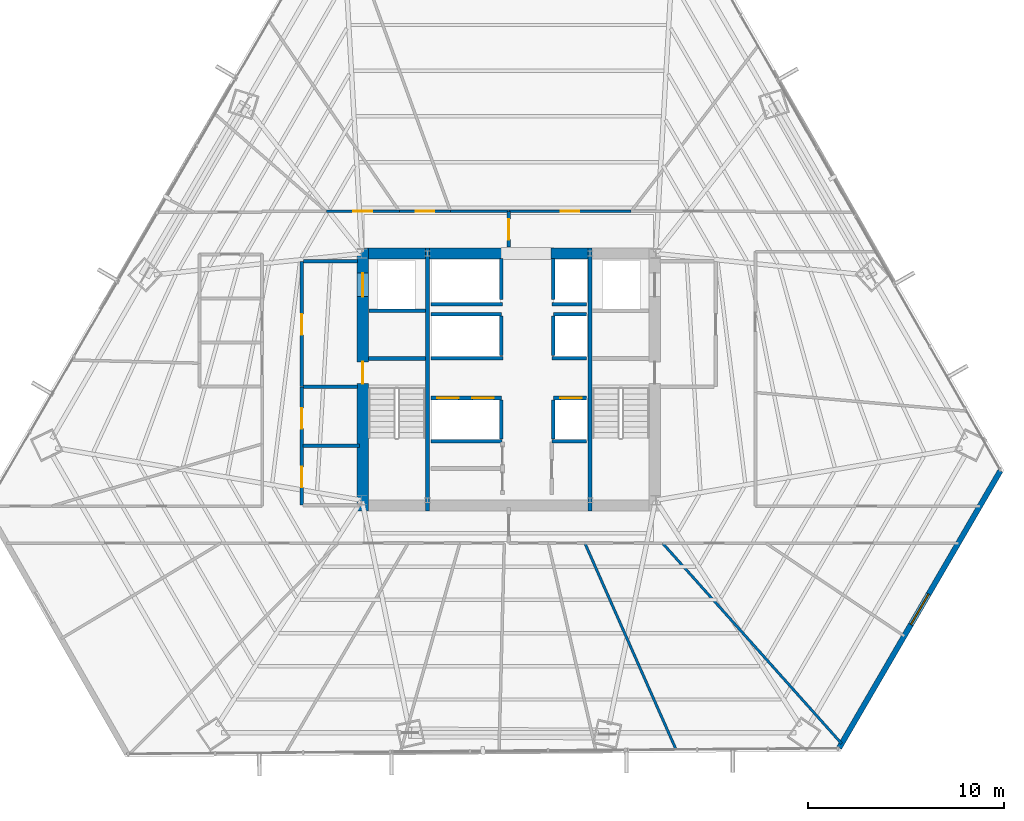
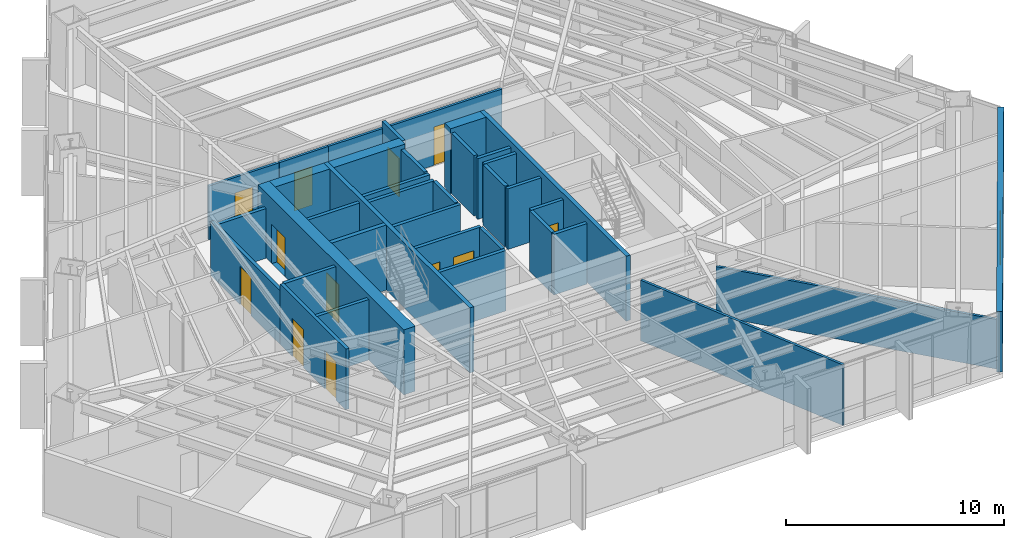
# One storey, part 31 of 36: 37 walls, 12 doors, 1 window, 13 openings.
"""IFC4 building model written with IfcOpenShell, lengths in metres."""

from ifc_helpers import new_model, si_unit, direction, frame, frame_2d, origin, place, context, subcontext, project, spatial, rectangle, extrude, material, layer, layer_set, type_object, element, fill, save


model = new_model("IFC4")

# Units and contexts
model_context = context("Model", 3, precision=1e-05, world=origin(), true_north=direction((0.0, 1.0)))
body_context = subcontext(model_context, "Body", "Model", "MODEL_VIEW")
ifc_project = project(units=[si_unit("LENGTHUNIT", "METRE"), si_unit("AREAUNIT", "SQUARE_METRE"), si_unit("VOLUMEUNIT", "CUBIC_METRE"), si_unit("PLANEANGLEUNIT", "RADIAN"), si_unit("MASSUNIT", "GRAM", prefix="KILO")], contexts=[model_context])

# Site, building, storey
site_placement = place(None, origin())
site = spatial("IfcSite", under=ifc_project, at=site_placement, CompositionType="ELEMENT")
building_placement = place(site_placement, origin())
building = spatial("IfcBuilding", under=site, at=building_placement, Name="Caelisora Broadcast Tower", CompositionType="ELEMENT")
storey_placement = place(building_placement, frame((0.0, 0.0, 60.449951171875)))
storey = spatial("IfcBuildingStorey", under=building, at=storey_placement, Name="L15", CompositionType="ELEMENT", Elevation=60.449951171875)

# Wall, openings, doors
ifc_material_1 = material(Name="Concrete 65 MPa (AS 3600 S65)", Category="concrete")
ifc_layer_1 = layer(ifc_material_1, 0.60009765625, Name="Concrete 65 MPa (AS 3600 S65)")
ifc_layer_set_1 = layer_set([ifc_layer_1], Name="Concrete 65 MPa (AS 3600 S65)")
wall_type_1 = type_object("IfcWallType", Name="CW1", PredefinedType="SHEAR", material=ifc_layer_set_1)
wall_1_placement = place(storey_placement, frame((30.5400390625, 16.85009765625, 0.0), z_axis=(0.0, 0.0, 1.0), x_axis=(0.0, 1.0, 0.0)))
wall_1 = element("IfcWall", 1, at=wall_1_placement, inside=storey, type_object=wall_type_1, Name="L15 core shear wall CW1", PredefinedType="SHEAR", context=body_context, shape_type="SweptSolid", body=[
    extrude(rectangle(XDim=13.4248046875, YDim=0.60009765625, at=frame_2d((6.71240234375, 0.0))), origin(), (0.0, 0.0, 1.0), 3.650146484375),
])
opening_1_placement = place(wall_1_placement, frame((6.5, 0.0, 0.0)))
opening_1 = element("IfcOpeningElement", 2, at=opening_1_placement, cuts=wall_1, Name="Opening FD04", PredefinedType="OPENING", context=body_context, shape_type="SweptSolid", body=[
    extrude(rectangle(XDim=1.1201171875, YDim=2.14990234375, at=frame_2d((0.56005859375, 1.074951171875))), frame((0.0, 0.31201171875, 0.0), z_axis=(0.0, -1.0, 0.0), x_axis=(1.0, 0.0, 0.0)), (0.0, 0.0, 1.0), 0.6240234375),
])
opening_2_placement = place(wall_1_placement, frame((10.949951171875, 0.0, 0.0)))
opening_2 = element("IfcOpeningElement", 3, at=opening_2_placement, cuts=wall_1, Name="Opening LD04", PredefinedType="OPENING", context=body_context, shape_type="SweptSolid", body=[
    extrude(rectangle(XDim=1.199951171875, YDim=2.199951171875, at=frame_2d((0.60009765625, 1.10009765625))), frame((0.0, 0.31201171875, 0.0), z_axis=(0.0, -1.0, 0.0), x_axis=(1.0, 0.0, 0.0)), (0.0, 0.0, 1.0), 0.6240234375),
])
ifc_material_2 = material(Name="Pressurised Fire-Isolated Stair Door", Category="steel")
door_type_1 = type_object("IfcDoorType", Name="FD04", OperationType="NOTDEFINED", PredefinedType="DOOR", material=ifc_material_2)
door_1_placement = place(opening_1_placement, origin())
door_1 = element("IfcDoor", 4, at=door_1_placement, inside=storey, type_object=door_type_1, Name="L15 door FD04 (L15-DR-ST1)", OperationType="SINGLE_SWING_LEFT", OverallHeight=2.14990234375, OverallWidth=1.1201171875, PredefinedType="DOOR", context=body_context, shape_type="SweptSolid", body=[
    extrude(rectangle(XDim=1.1201171875, YDim=2.14990234375, at=frame_2d((0.56005859375, 1.074951171875))), frame((0.0, 0.02490234375, 0.0), z_axis=(0.0, -1.0, 0.0), x_axis=(1.0, 0.0, 0.0)), (0.0, 0.0, 1.0), 0.050048828125),
])
fill(opening_1, door_1)
ifc_material_3 = material(Name="Emergency Firefighting Lift Sliding Landing Door", Category="steel")
door_type_2 = type_object("IfcDoorType", Name="LD04", OperationType="NOTDEFINED", PredefinedType="DOOR", material=ifc_material_3)
door_2_placement = place(opening_2_placement, origin())
door_2 = element("IfcDoor", 5, at=door_2_placement, inside=storey, type_object=door_type_2, Name="L15 door LD04 (L15-LD-FFL1)", OperationType="SLIDING_TO_LEFT", OverallHeight=2.199951171875, OverallWidth=1.199951171875, PredefinedType="DOOR", context=body_context, shape_type="SweptSolid", body=[
    extrude(rectangle(XDim=1.199951171875, YDim=2.199951171875, at=frame_2d((0.60009765625, 1.10009765625))), frame((0.0, 0.02490234375, 0.0), z_axis=(0.0, -1.0, 0.0), x_axis=(1.0, 0.0, 0.0)), (0.0, 0.0, 1.0), 0.050048828125),
])
fill(opening_2, door_2)

# Walls
ifc_layer_2 = layer(ifc_material_1, 0.550048828125, Name="Concrete 65 MPa (AS 3600 S65)")
ifc_layer_set_2 = layer_set([ifc_layer_2], Name="Concrete 65 MPa (AS 3600 S65)")
wall_type_2 = type_object("IfcWallType", Name="CW4", PredefinedType="SHEAR", material=ifc_layer_set_2)
wall_2_placement = place(storey_placement, frame((30.840087890625, 30.0, 0.0), z_axis=(0.0, 0.0, 1.0), x_axis=(1.0, 0.0, 0.0)))
element("IfcWall", 6, at=wall_2_placement, inside=storey, type_object=wall_type_2, Name="L15 core shear wall CW4", PredefinedType="SHEAR", context=body_context, shape_type="SweptSolid", body=[
    extrude(rectangle(XDim=2.89990234375, YDim=0.550048828125, at=frame_2d((1.449951171875, 0.0))), origin(), (0.0, 0.0, 1.0), 3.650146484375),
])
wall_3_placement = place(storey_placement, frame((33.9599609375, 30.0, 0.0), z_axis=(0.0, 0.0, 1.0), x_axis=(1.0, 0.0, 0.0)))
element("IfcWall", 7, at=wall_3_placement, inside=storey, type_object=wall_type_2, Name="L15 core shear wall CW4", PredefinedType="SHEAR", context=body_context, shape_type="SweptSolid", body=[
    extrude(rectangle(XDim=3.780029296875, YDim=0.550048828125, at=frame_2d((1.89013671875, 0.0))), origin(), (0.0, 0.0, 1.0), 3.650146484375),
])
wall_4_placement = place(storey_placement, frame((40.159912109375, 30.0, 0.0), z_axis=(0.0, 0.0, 1.0), x_axis=(1.0, 0.0, 0.0)))
element("IfcWall", 8, at=wall_4_placement, inside=storey, type_object=wall_type_2, Name="L15 core shear wall CW4", PredefinedType="SHEAR", context=body_context, shape_type="SweptSolid", body=[
    extrude(rectangle(XDim=1.880126953125, YDim=0.550048828125, at=frame_2d((0.93994140625, 0.0))), origin(), (0.0, 0.0, 1.0), 3.650146484375),
])
ifc_material_4 = material(Name="Concrete 50 MPa (AS 3600 S50)", Category="concrete")
ifc_layer_3 = layer(ifc_material_4, 0.219970703125, Name="Concrete 50 MPa (AS 3600 S50)")
ifc_layer_set_3 = layer_set([ifc_layer_3], Name="Concrete 50 MPa (AS 3600 S50)")
wall_type_3 = type_object("IfcWallType", Name="CW7", PredefinedType="SHEAR", material=ifc_layer_set_3)
for number, where, z_axis, x_axis, name in (
    (9, (33.85009765625, 16.85009765625, 0.0), (0.0, 0.0, 1.0), (0.0, 1.0, 0.0), "L15 core shear wall CW7"),
    (10, (42.14990234375, 16.85009765625, 0.0), (0.0, 0.0, 1.0), (0.0, 1.0, 0.0), "L15 core shear wall CW7"),
):
    element("IfcWall", number, at=place(storey_placement, frame(where, z_axis=z_axis, x_axis=x_axis)), inside=storey, type_object=wall_type_3, Name=name, PredefinedType="SHEAR", context=body_context, shape_type="SweptSolid", body=[
        extrude(rectangle(XDim=13.4248046875, YDim=0.219970703125, at=frame_2d((6.71240234375, 0.0))), origin(), (0.0, 0.0, 1.0), 3.650146484375),
    ])
wall_5_placement = place(storey_placement, frame((30.840087890625, 24.639892578125, 0.0), z_axis=(0.0, 0.0, 1.0), x_axis=(1.0, 0.0, 0.0)))
element("IfcWall", 11, at=wall_5_placement, inside=storey, type_object=wall_type_3, Name="L15 core shear wall CW7", PredefinedType="SHEAR", context=body_context, shape_type="SweptSolid", body=[
    extrude(rectangle(XDim=2.89990234375, YDim=0.219970703125, at=frame_2d((1.449951171875, 0.0))), origin(), (0.0, 0.0, 1.0), 3.650146484375),
])

# Wall, opening, window
ifc_material_5 = material(Name="Insulated Terracotta Spandrel Wall System", Category="masonry")
ifc_layer_4 = layer(ifc_material_5, 0.280029296875, Name="Insulated Terracotta Spandrel Wall System")
ifc_layer_set_4 = layer_set([ifc_layer_4], Name="Insulated Terracotta Spandrel Wall System")
wall_type_4 = type_object("IfcWallType", Name="EW1", PredefinedType="STANDARD", material=ifc_layer_set_4)
wall_6_placement = place(storey_placement, frame((63.10400390625, 18.899169921875, 0.0), z_axis=(0.0, 0.0, 1.0), x_axis=(-0.502893983591, -0.864348101906, 0.0)))
wall_6 = element("IfcWall", 12, at=wall_6_placement, inside=storey, type_object=wall_type_4, Name="L15 exterior envelope wall EW1", PredefinedType="STANDARD", context=body_context, shape_type="SweptSolid", body=[
    extrude(rectangle(XDim=16.365234375, YDim=0.280029296875, at=frame_2d((8.1826171875, 0.0))), origin(), (0.0, 0.0, 1.0), 3.400146484375),
])
opening_3_placement = place(wall_6_placement, frame((7.280029296875, 0.0, 0.89990234375)))
opening_3 = element("IfcOpeningElement", 13, at=opening_3_placement, cuts=wall_6, Name="Opening W01", PredefinedType="OPENING", context=body_context, shape_type="SweptSolid", body=[
    extrude(rectangle(XDim=1.800048828125, YDim=1.800048828125, at=frame_2d((0.89990234375, 0.89990234375))), frame((0.0, 0.152099609375, 0.0), z_axis=(0.0, -1.0, 0.0), x_axis=(1.0, 0.0, 0.0)), (0.0, 0.0, 1.0), 0.303955078125),
])
ifc_material_6 = material(Name="Double Glazed Terracotta-Framed Vision Window", Category="glass")
window_type = type_object("IfcWindowType", Name="W01", PartitioningType="SINGLE_PANEL", PredefinedType="WINDOW", material=ifc_material_6)
window_placement = place(opening_3_placement, origin())
window = element("IfcWindow", 14, at=window_placement, inside=storey, type_object=window_type, Name="L15 window W01 (L15-WN-CH0)", OverallHeight=1.800048828125, OverallWidth=1.800048828125, PartitioningType="SINGLE_PANEL", PredefinedType="WINDOW", context=body_context, shape_type="SweptSolid", body=[
    extrude(rectangle(XDim=1.800048828125, YDim=1.800048828125, at=frame_2d((0.89990234375, 0.89990234375))), frame((0.0, 0.030029296875, 0.0), z_axis=(0.0, -1.0, 0.0), x_axis=(1.0, 0.0, 0.0)), (0.0, 0.0, 1.0), 0.06005859375),
])
fill(opening_3, window)

# Wall, openings, doors
ifc_material_7 = material(Name="Fire-Rated Gypsum Shaft and Compartment Wall", Category="gypsum")
ifc_layer_5 = layer(ifc_material_7, 0.179931640625, Name="Fire-Rated Gypsum Shaft and Compartment Wall")
ifc_layer_set_5 = layer_set([ifc_layer_5], Name="Fire-Rated Gypsum Shaft and Compartment Wall")
wall_type_5 = type_object("IfcWallType", Name="PW2", PredefinedType="PARTITIONING", material=ifc_layer_set_5)
wall_7_placement = place(storey_placement, frame((34.02001953125, 22.6201171875, 0.0), z_axis=(0.0, 0.0, 1.0), x_axis=(1.0, 0.0, 0.0)))
wall_7 = element("IfcWall", 15, at=wall_7_placement, inside=storey, type_object=wall_type_5, Name="L15 fire compartment wall PW2", PredefinedType="PARTITIONING", context=body_context, shape_type="SweptSolid", body=[
    extrude(rectangle(XDim=3.60009765625, YDim=0.179931640625, at=frame_2d((1.800048828125, 0.0))), origin(), (0.0, 0.0, 1.0), 3.400146484375),
])
opening_4_placement = place(wall_7_placement, frame((0.320068359375, 0.0, 0.0)))
opening_4 = element("IfcOpeningElement", 16, at=opening_4_placement, cuts=wall_7, Name="Opening LD01", PredefinedType="OPENING", context=body_context, shape_type="SweptSolid", body=[
    extrude(rectangle(XDim=1.10009765625, YDim=2.199951171875, at=frame_2d((0.550048828125, 1.10009765625))), frame((0.0, 0.10205078125, 0.0), z_axis=(0.0, -1.0, 0.0), x_axis=(1.0, 0.0, 0.0)), (0.0, 0.0, 1.0), 0.203857421875),
])
opening_5_placement = place(wall_7_placement, frame((2.1201171875, 0.0, 0.0)))
opening_5 = element("IfcOpeningElement", 17, at=opening_5_placement, cuts=wall_7, Name="Opening LD01", PredefinedType="OPENING", context=body_context, shape_type="SweptSolid", body=[
    extrude(rectangle(XDim=1.10009765625, YDim=2.199951171875, at=frame_2d((0.550048828125, 1.10009765625))), frame((0.0, 0.10205078125, 0.0), z_axis=(0.0, -1.0, 0.0), x_axis=(1.0, 0.0, 0.0)), (0.0, 0.0, 1.0), 0.203857421875),
])
ifc_material_8 = material(Name="Stainless Steel Centre-Parting Lift Landing Door", Category="steel")
door_type_3 = type_object("IfcDoorType", Name="LD01", OperationType="NOTDEFINED", PredefinedType="DOOR", material=ifc_material_8)
door_3_placement = place(opening_4_placement, origin())
door_3 = element("IfcDoor", 18, at=door_3_placement, inside=storey, type_object=door_type_3, Name="L15 door LD01 (L15-LD-PLL1)", OperationType="SLIDING_TO_LEFT", OverallHeight=2.199951171875, OverallWidth=1.10009765625, PredefinedType="DOOR", context=body_context, shape_type="SweptSolid", body=[
    extrude(rectangle(XDim=1.10009765625, YDim=2.199951171875, at=frame_2d((0.550048828125, 1.10009765625))), frame((0.0, 0.02490234375, 0.0), z_axis=(0.0, -1.0, 0.0), x_axis=(1.0, 0.0, 0.0)), (0.0, 0.0, 1.0), 0.050048828125),
])
fill(opening_4, door_3)
door_4_placement = place(opening_5_placement, origin())
door_4 = element("IfcDoor", 19, at=door_4_placement, inside=storey, type_object=door_type_3, Name="L15 door LD01 (L15-LD-PLL2)", OperationType="SLIDING_TO_RIGHT", OverallHeight=2.199951171875, OverallWidth=1.10009765625, PredefinedType="DOOR", context=body_context, shape_type="SweptSolid", body=[
    extrude(rectangle(XDim=1.10009765625, YDim=2.199951171875, at=frame_2d((0.550048828125, 1.10009765625))), frame((0.0, 0.02490234375, 0.0), z_axis=(0.0, -1.0, 0.0), x_axis=(1.0, 0.0, 0.0)), (0.0, 0.0, 1.0), 0.050048828125),
])
fill(opening_5, door_4)

# Wall, opening, door
wall_8_placement = place(storey_placement, frame((40.280029296875, 22.6201171875, 0.0), z_axis=(0.0, 0.0, 1.0), x_axis=(1.0, 0.0, 0.0)))
wall_8 = element("IfcWall", 20, at=wall_8_placement, inside=storey, type_object=wall_type_5, Name="L15 fire compartment wall PW2", PredefinedType="PARTITIONING", context=body_context, shape_type="SweptSolid", body=[
    extrude(rectangle(XDim=1.699951171875, YDim=0.179931640625, at=frame_2d((0.85009765625, 0.0))), origin(), (0.0, 0.0, 1.0), 3.400146484375),
])
opening_6_placement = place(wall_8_placement, frame((0.35009765625, 0.0, 0.0)))
opening_6 = element("IfcOpeningElement", 21, at=opening_6_placement, cuts=wall_8, Name="Opening LD01", PredefinedType="OPENING", context=body_context, shape_type="SweptSolid", body=[
    extrude(rectangle(XDim=1.10009765625, YDim=2.199951171875, at=frame_2d((0.550048828125, 1.10009765625))), frame((0.0, 0.10205078125, 0.0), z_axis=(0.0, -1.0, 0.0), x_axis=(1.0, 0.0, 0.0)), (0.0, 0.0, 1.0), 0.203857421875),
])
door_5_placement = place(opening_6_placement, origin())
door_5 = element("IfcDoor", 22, at=door_5_placement, inside=storey, type_object=door_type_3, Name="L15 door LD01 (L15-LD-PLL3)", OperationType="SLIDING_TO_LEFT", OverallHeight=2.199951171875, OverallWidth=1.10009765625, PredefinedType="DOOR", context=body_context, shape_type="SweptSolid", body=[
    extrude(rectangle(XDim=1.10009765625, YDim=2.199951171875, at=frame_2d((0.550048828125, 1.10009765625))), frame((0.0, 0.02490234375, 0.0), z_axis=(0.0, -1.0, 0.0), x_axis=(1.0, 0.0, 0.0)), (0.0, 0.0, 1.0), 0.050048828125),
])
fill(opening_6, door_5)

# Walls
for number, where, z_axis, x_axis, name in (
    (23, (37.6201171875, 20.52001953125, 0.0), (0.0, 0.0, 1.0), (0.0, 1.0, 0.0), "L15 fire compartment wall PW2"),
    (24, (40.280029296875, 20.52001953125, 0.0), (0.0, 0.0, 1.0), (0.0, 1.0, 0.0), "L15 fire compartment wall PW2"),
):
    element("IfcWall", number, at=place(storey_placement, frame(where, z_axis=z_axis, x_axis=x_axis)), inside=storey, type_object=wall_type_5, Name=name, PredefinedType="PARTITIONING", context=body_context, shape_type="SweptSolid", body=[
        extrude(rectangle(XDim=2.0, YDim=0.179931640625, at=frame_2d((1.0, 0.0))), origin(), (0.0, 0.0, 1.0), 3.400146484375),
    ])
wall_9_placement = place(storey_placement, frame((34.02001953125, 26.89990234375, 0.0), z_axis=(0.0, 0.0, 1.0), x_axis=(1.0, 0.0, 0.0)))
element("IfcWall", 25, at=wall_9_placement, inside=storey, type_object=wall_type_5, Name="L15 fire compartment wall PW2", PredefinedType="PARTITIONING", context=body_context, shape_type="SweptSolid", body=[
    extrude(rectangle(XDim=3.60009765625, YDim=0.179931640625, at=frame_2d((1.800048828125, 0.0))), origin(), (0.0, 0.0, 1.0), 3.400146484375),
])
wall_10_placement = place(storey_placement, frame((40.280029296875, 26.89990234375, 0.0), z_axis=(0.0, 0.0, 1.0), x_axis=(1.0, 0.0, 0.0)))
element("IfcWall", 26, at=wall_10_placement, inside=storey, type_object=wall_type_5, Name="L15 fire compartment wall PW2", PredefinedType="PARTITIONING", context=body_context, shape_type="SweptSolid", body=[
    extrude(rectangle(XDim=1.699951171875, YDim=0.179931640625, at=frame_2d((0.85009765625, 0.0))), origin(), (0.0, 0.0, 1.0), 3.400146484375),
])
for number, where, z_axis, x_axis, name in (
    (27, (37.6201171875, 24.800048828125, 0.0), (0.0, 0.0, 1.0), (0.0, 1.0, 0.0), "L15 fire compartment wall PW2"),
    (28, (40.280029296875, 24.800048828125, 0.0), (0.0, 0.0, 1.0), (0.0, 1.0, 0.0), "L15 fire compartment wall PW2"),
):
    element("IfcWall", number, at=place(storey_placement, frame(where, z_axis=z_axis, x_axis=x_axis)), inside=storey, type_object=wall_type_5, Name=name, PredefinedType="PARTITIONING", context=body_context, shape_type="SweptSolid", body=[
        extrude(rectangle(XDim=2.0, YDim=0.179931640625, at=frame_2d((1.0, 0.0))), origin(), (0.0, 0.0, 1.0), 3.400146484375),
    ])
wall_11_placement = place(storey_placement, frame((34.02001953125, 24.639892578125, 0.0), z_axis=(0.0, 0.0, 1.0), x_axis=(1.0, 0.0, 0.0)))
element("IfcWall", 29, at=wall_11_placement, inside=storey, type_object=wall_type_5, Name="L15 fire compartment wall PW2", PredefinedType="PARTITIONING", context=body_context, shape_type="SweptSolid", body=[
    extrude(rectangle(XDim=3.679931640625, YDim=0.179931640625, at=frame_2d((1.83984375, 0.0))), origin(), (0.0, 0.0, 1.0), 3.400146484375),
])
wall_12_placement = place(storey_placement, frame((40.199951171875, 24.639892578125, 0.0), z_axis=(0.0, 0.0, 1.0), x_axis=(1.0, 0.0, 0.0)))
element("IfcWall", 30, at=wall_12_placement, inside=storey, type_object=wall_type_5, Name="L15 fire compartment wall PW2", PredefinedType="PARTITIONING", context=body_context, shape_type="SweptSolid", body=[
    extrude(rectangle(XDim=1.780029296875, YDim=0.179931640625, at=frame_2d((0.89013671875, 0.0))), origin(), (0.0, 0.0, 1.0), 3.400146484375),
])
wall_13_placement = place(storey_placement, frame((34.02001953125, 27.419921875, 0.0), z_axis=(0.0, 0.0, 1.0), x_axis=(1.0, 0.0, 0.0)))
element("IfcWall", 31, at=wall_13_placement, inside=storey, type_object=wall_type_5, Name="L15 fire compartment wall PW2", PredefinedType="PARTITIONING", context=body_context, shape_type="SweptSolid", body=[
    extrude(rectangle(XDim=3.659912109375, YDim=0.179931640625, at=frame_2d((1.830078125, 0.0))), origin(), (0.0, 0.0, 1.0), 3.400146484375),
])
wall_14_placement = place(storey_placement, frame((40.219970703125, 27.419921875, 0.0), z_axis=(0.0, 0.0, 1.0), x_axis=(1.0, 0.0, 0.0)))
element("IfcWall", 32, at=wall_14_placement, inside=storey, type_object=wall_type_5, Name="L15 fire compartment wall PW2", PredefinedType="PARTITIONING", context=body_context, shape_type="SweptSolid", body=[
    extrude(rectangle(XDim=1.760009765625, YDim=0.179931640625, at=frame_2d((0.8798828125, 0.0))), origin(), (0.0, 0.0, 1.0), 3.400146484375),
])
for number, where, z_axis, x_axis, name in (
    (33, (37.6201171875, 27.639892578125, 0.0), (0.0, 0.0, 1.0), (0.0, 1.0, 0.0), "L15 fire compartment wall PW2"),
    (34, (40.280029296875, 27.639892578125, 0.0), (0.0, 0.0, 1.0), (0.0, 1.0, 0.0), "L15 fire compartment wall PW2"),
):
    element("IfcWall", number, at=place(storey_placement, frame(where, z_axis=z_axis, x_axis=x_axis)), inside=storey, type_object=wall_type_5, Name=name, PredefinedType="PARTITIONING", context=body_context, shape_type="SweptSolid", body=[
        extrude(rectangle(XDim=2.110107421875, YDim=0.179931640625, at=frame_2d((1.05517578125, 0.0))), origin(), (0.0, 0.0, 1.0), 3.400146484375),
    ])

# Wall, opening, door
wall_15_placement = place(storey_placement, frame((27.419921875, 23.199951171875, 0.0), z_axis=(0.0, 0.0, 1.0), x_axis=(0.0, 1.0, 0.0)))
wall_15 = element("IfcWall", 35, at=wall_15_placement, inside=storey, type_object=wall_type_5, Name="L15 fire compartment wall PW2", PredefinedType="PARTITIONING", context=body_context, shape_type="SweptSolid", body=[
    extrude(rectangle(XDim=6.400146484375, YDim=0.179931640625, at=frame_2d((3.2001953125, 0.0))), origin(), (0.0, 0.0, 1.0), 3.0263671875),
])
opening_7_placement = place(wall_15_placement, frame((2.64990234375, 0.0, 0.0)))
opening_7 = element("IfcOpeningElement", 36, at=opening_7_placement, cuts=wall_15, Name="Opening FD02", PredefinedType="OPENING", context=body_context, shape_type="SweptSolid", body=[
    extrude(rectangle(XDim=1.050048828125, YDim=2.14990234375, at=frame_2d((0.52490234375, 1.074951171875))), frame((0.0, 0.10205078125, 0.0), z_axis=(0.0, -1.0, 0.0), x_axis=(1.0, 0.0, 0.0)), (0.0, 0.0, 1.0), 0.203857421875),
])
ifc_material_9 = material(Name="Single-Leaf Steel Fire Lobby Door", Category="steel")
door_type_4 = type_object("IfcDoorType", Name="FD02", OperationType="NOTDEFINED", PredefinedType="DOOR", material=ifc_material_9)
door_6_placement = place(opening_7_placement, origin())
door_6 = element("IfcDoor", 37, at=door_6_placement, inside=storey, type_object=door_type_4, Name="L15 door FD02 (L15-DR-P01D1)", OperationType="SINGLE_SWING_LEFT", OverallHeight=2.14990234375, OverallWidth=1.050048828125, PredefinedType="DOOR", context=body_context, shape_type="SweptSolid", body=[
    extrude(rectangle(XDim=1.050048828125, YDim=2.14990234375, at=frame_2d((0.52490234375, 1.074951171875))), frame((0.0, 0.02490234375, 0.0), z_axis=(0.0, -1.0, 0.0), x_axis=(1.0, 0.0, 0.0)), (0.0, 0.0, 1.0), 0.050048828125),
])
fill(opening_7, door_6)

# Walls
wall_16_placement = place(storey_placement, frame((27.52001953125, 23.199951171875, 0.0), z_axis=(0.0, 0.0, 1.0), x_axis=(1.0, 0.0, 0.0)))
element("IfcWall", 38, at=wall_16_placement, inside=storey, type_object=wall_type_5, Name="L15 fire compartment wall PW2", PredefinedType="PARTITIONING", context=body_context, shape_type="SweptSolid", body=[
    extrude(rectangle(XDim=2.760009765625, YDim=0.179931640625, at=frame_2d((1.3798828125, 0.0))), origin(), (0.0, 0.0, 1.0), 3.400146484375),
])
wall_17_placement = place(storey_placement, frame((27.52001953125, 29.60009765625, 0.0), z_axis=(0.0, 0.0, 1.0), x_axis=(1.0, 0.0, 0.0)))
element("IfcWall", 39, at=wall_17_placement, inside=storey, type_object=wall_type_5, Name="L15 fire compartment wall PW2", PredefinedType="PARTITIONING", context=body_context, shape_type="SweptSolid", body=[
    extrude(rectangle(XDim=2.760009765625, YDim=0.179931640625, at=frame_2d((1.3798828125, 0.0))), origin(), (0.0, 0.0, 1.0), 2.782958984375),
])
wall_18_placement = place(storey_placement, frame((30.860107421875, 27.070068359375, 0.0), z_axis=(0.0, 0.0, 1.0), x_axis=(1.0, 0.0, 0.0)))
element("IfcWall", 40, at=wall_18_placement, inside=storey, type_object=wall_type_5, Name="L15 fire compartment wall PW2", PredefinedType="PARTITIONING", context=body_context, shape_type="SweptSolid", body=[
    extrude(rectangle(XDim=2.89990234375, YDim=0.179931640625, at=frame_2d((1.449951171875, 0.0))), origin(), (0.0, 0.0, 1.0), 3.400146484375),
])
wall_19_placement = place(storey_placement, frame((34.02001953125, 20.419921875, 0.0), z_axis=(0.0, 0.0, 1.0), x_axis=(1.0, 0.0, 0.0)))
element("IfcWall", 41, at=wall_19_placement, inside=storey, type_object=wall_type_5, Name="L15 fire compartment wall PW2", PredefinedType="PARTITIONING", context=body_context, shape_type="SweptSolid", body=[
    extrude(rectangle(XDim=3.639892578125, YDim=0.179931640625, at=frame_2d((1.81982421875, 0.0))), origin(), (0.0, 0.0, 1.0), 3.400146484375),
])
wall_20_placement = place(storey_placement, frame((40.219970703125, 20.419921875, 0.0), z_axis=(0.0, 0.0, 1.0), x_axis=(1.0, 0.0, 0.0)))
element("IfcWall", 42, at=wall_20_placement, inside=storey, type_object=wall_type_5, Name="L15 fire compartment wall PW2", PredefinedType="PARTITIONING", context=body_context, shape_type="SweptSolid", body=[
    extrude(rectangle(XDim=1.760009765625, YDim=0.179931640625, at=frame_2d((0.8798828125, 0.0))), origin(), (0.0, 0.0, 1.0), 3.400146484375),
])
wall_21_placement = place(storey_placement, frame((27.47998046875, 20.169921875, 0.0), z_axis=(0.0, 0.0, 1.0), x_axis=(1.0, 0.0, 0.0)))
element("IfcWall", 43, at=wall_21_placement, inside=storey, type_object=wall_type_5, Name="L15 fire compartment wall PW2", PredefinedType="PARTITIONING", context=body_context, shape_type="SweptSolid", body=[
    extrude(rectangle(XDim=2.89990234375, YDim=0.179931640625, at=frame_2d((1.449951171875, 0.0))), origin(), (0.0, 0.0, 1.0), 3.400146484375),
])

# Wall, openings, doors
wall_22_placement = place(storey_placement, frame((27.419921875, 17.14990234375, 0.0), z_axis=(0.0, 0.0, 1.0), x_axis=(0.0, 1.0, 0.0)))
wall_22 = element("IfcWall", 44, at=wall_22_placement, inside=storey, type_object=wall_type_5, Name="L15 fire compartment wall PW2", PredefinedType="PARTITIONING", context=body_context, shape_type="SweptSolid", body=[
    extrude(rectangle(XDim=6.030029296875, YDim=0.179931640625, at=frame_2d((3.01513671875, 0.0))), origin(), (0.0, 0.0, 1.0), 3.400146484375),
])
opening_8_placement = place(wall_22_placement, frame((0.89990234375, 0.0, 0.0)))
opening_8 = element("IfcOpeningElement", 45, at=opening_8_placement, cuts=wall_22, Name="Opening FD02", PredefinedType="OPENING", context=body_context, shape_type="SweptSolid", body=[
    extrude(rectangle(XDim=1.050048828125, YDim=2.14990234375, at=frame_2d((0.52490234375, 1.074951171875))), frame((0.0, 0.10205078125, 0.0), z_axis=(0.0, -1.0, 0.0), x_axis=(1.0, 0.0, 0.0)), (0.0, 0.0, 1.0), 0.203857421875),
])
opening_9_placement = place(wall_22_placement, frame((3.89990234375, 0.0, 0.0)))
opening_9 = element("IfcOpeningElement", 46, at=opening_9_placement, cuts=wall_22, Name="Opening FD02", PredefinedType="OPENING", context=body_context, shape_type="SweptSolid", body=[
    extrude(rectangle(XDim=1.050048828125, YDim=2.14990234375, at=frame_2d((0.52490234375, 1.074951171875))), frame((0.0, 0.10205078125, 0.0), z_axis=(0.0, -1.0, 0.0), x_axis=(1.0, 0.0, 0.0)), (0.0, 0.0, 1.0), 0.203857421875),
])
door_7_placement = place(opening_8_placement, origin())
door_7 = element("IfcDoor", 47, at=door_7_placement, inside=storey, type_object=door_type_4, Name="L15 door FD02 (L15-DR-P15D1)", OperationType="SINGLE_SWING_RIGHT", OverallHeight=2.14990234375, OverallWidth=1.050048828125, PredefinedType="DOOR", context=body_context, shape_type="SweptSolid", body=[
    extrude(rectangle(XDim=1.050048828125, YDim=2.14990234375, at=frame_2d((0.52490234375, 1.074951171875))), frame((0.0, 0.02490234375, 0.0), z_axis=(0.0, -1.0, 0.0), x_axis=(1.0, 0.0, 0.0)), (0.0, 0.0, 1.0), 0.050048828125),
])
fill(opening_8, door_7)
door_8_placement = place(opening_9_placement, origin())
door_8 = element("IfcDoor", 48, at=door_8_placement, inside=storey, type_object=door_type_4, Name="L15 door FD02 (L15-DR-P15D2)", OperationType="SINGLE_SWING_LEFT", OverallHeight=2.14990234375, OverallWidth=1.050048828125, PredefinedType="DOOR", context=body_context, shape_type="SweptSolid", body=[
    extrude(rectangle(XDim=1.050048828125, YDim=2.14990234375, at=frame_2d((0.52490234375, 1.074951171875))), frame((0.0, 0.02490234375, 0.0), z_axis=(0.0, -1.0, 0.0), x_axis=(1.0, 0.0, 0.0)), (0.0, 0.0, 1.0), 0.050048828125),
])
fill(opening_9, door_8)

# Wall, opening, door
wall_23_placement = place(storey_placement, frame((38.0, 30.320068359375, 0.0), z_axis=(0.0, 0.0, 1.0), x_axis=(0.0, 1.0, 0.0)))
wall_23 = element("IfcWall", 49, at=wall_23_placement, inside=storey, type_object=wall_type_5, Name="L15 fire compartment wall PW2", PredefinedType="PARTITIONING", context=body_context, shape_type="SweptSolid", body=[
    extrude(rectangle(XDim=1.824951171875, YDim=0.179931640625, at=frame_2d((0.91259765625, 0.0))), origin(), (0.0, 0.0, 1.0), 3.400146484375),
])
opening_10_placement = place(wall_23_placement, frame((0.387939453125, 0.0, 0.0)))
opening_10 = element("IfcOpeningElement", 50, at=opening_10_placement, cuts=wall_23, Name="Opening FD02", PredefinedType="OPENING", context=body_context, shape_type="SweptSolid", body=[
    extrude(rectangle(XDim=1.050048828125, YDim=2.14990234375, at=frame_2d((0.52490234375, 1.074951171875))), frame((0.0, 0.10205078125, 0.0), z_axis=(0.0, -1.0, 0.0), x_axis=(1.0, 0.0, 0.0)), (0.0, 0.0, 1.0), 0.203857421875),
])
door_9_placement = place(opening_10_placement, origin())
door_9 = element("IfcDoor", 51, at=door_9_placement, inside=storey, type_object=door_type_4, Name="L15 door FD02 (L15-DR-P73D1)", OperationType="SINGLE_SWING_LEFT", OverallHeight=2.14990234375, OverallWidth=1.050048828125, PredefinedType="DOOR", context=body_context, shape_type="SweptSolid", body=[
    extrude(rectangle(XDim=1.050048828125, YDim=2.14990234375, at=frame_2d((0.52490234375, 1.074951171875))), frame((0.0, 0.02490234375, 0.0), z_axis=(0.0, -1.0, 0.0), x_axis=(1.0, 0.0, 0.0)), (0.0, 0.0, 1.0), 0.050048828125),
])
fill(opening_10, door_9)

# Walls
ifc_material_10 = material(Name="Acoustic Steel-Stud Plasterboard Partition", Category="gypsum")
ifc_layer_6 = layer(ifc_material_10, 0.1298828125, Name="Acoustic Steel-Stud Plasterboard Partition")
ifc_layer_set_6 = layer_set([ifc_layer_6], Name="Acoustic Steel-Stud Plasterboard Partition")
wall_type_6 = type_object("IfcWallType", Name="PW3", PredefinedType="PARTITIONING", material=ifc_layer_set_6)
wall_24_placement = place(storey_placement, frame((45.863037109375, 15.196044921875, 0.0), z_axis=(0.0, 0.0, 1.0), x_axis=(0.666222978662, -0.745752601539, 0.0)))
element("IfcWall", 52, at=wall_24_placement, inside=storey, type_object=wall_type_6, Name="L15 internal partition PW3", PredefinedType="PARTITIONING", context=body_context, shape_type="SweptSolid", body=[
    extrude(rectangle(XDim=13.718994140625, YDim=0.1298828125, at=frame_2d((6.859375, 0.0))), origin(), (0.0, 0.0, 1.0), 2.782958984375),
])
wall_25_placement = place(storey_placement, frame((41.89208984375, 15.195068359375, 0.0), z_axis=(0.0, 0.0, 1.0), x_axis=(0.40406694801, -0.914729414377, 0.0)))
element("IfcWall", 53, at=wall_25_placement, inside=storey, type_object=wall_type_6, Name="L15 internal partition PW3", PredefinedType="PARTITIONING", context=body_context, shape_type="SweptSolid", body=[
    extrude(rectangle(XDim=11.5205078125, YDim=0.1298828125, at=frame_2d((5.76025390625, 0.0))), origin(), (0.0, 0.0, 1.0), 3.400146484375),
])

# Wall, opening, door
wall_26_placement = place(storey_placement, frame((38.0048828125, 32.14990234375, 0.0), z_axis=(0.0, 0.0, 1.0), x_axis=(1.0, 0.0, 0.0)))
wall_26 = element("IfcWall", 54, at=wall_26_placement, inside=storey, type_object=wall_type_6, Name="L15 internal partition PW3", PredefinedType="PARTITIONING", context=body_context, shape_type="SweptSolid", body=[
    extrude(rectangle(XDim=6.240234375, YDim=0.1298828125, at=frame_2d((3.1201171875, 0.0))), origin(), (0.0, 0.0, 1.0), 3.0263671875),
])
opening_11_placement = place(wall_26_placement, frame((2.639892578125, 0.0, 0.0)))
opening_11 = element("IfcOpeningElement", 55, at=opening_11_placement, cuts=wall_26, Name="Opening D01", PredefinedType="OPENING", context=body_context, shape_type="SweptSolid", body=[
    extrude(rectangle(XDim=0.9599609375, YDim=2.14990234375, at=frame_2d((0.47998046875, 1.074951171875))), frame((0.0, 0.076904296875, 0.0), z_axis=(0.0, -1.0, 0.0), x_axis=(1.0, 0.0, 0.0)), (0.0, 0.0, 1.0), 0.15380859375),
])
ifc_material_11 = material(Name="Solid-Core Timber Acoustic Office Door", Category="wood")
door_type_5 = type_object("IfcDoorType", Name="D01", OperationType="NOTDEFINED", PredefinedType="DOOR", material=ifc_material_11)
door_10_placement = place(opening_11_placement, origin())
door_10 = element("IfcDoor", 56, at=door_10_placement, inside=storey, type_object=door_type_5, Name="L15 door D01 (L15-DR-P51D1)", OperationType="SINGLE_SWING_LEFT", OverallHeight=2.14990234375, OverallWidth=0.9599609375, PredefinedType="DOOR", context=body_context, shape_type="SweptSolid", body=[
    extrude(rectangle(XDim=0.9599609375, YDim=2.14990234375, at=frame_2d((0.47998046875, 1.074951171875))), frame((0.0, 0.02490234375, 0.0), z_axis=(0.0, -1.0, 0.0), x_axis=(1.0, 0.0, 0.0)), (0.0, 0.0, 1.0), 0.050048828125),
])
fill(opening_11, door_10)

wall_27_placement = place(storey_placement, frame((28.68505859375, 32.14990234375, 0.0), z_axis=(0.0, 0.0, 1.0), x_axis=(1.0, 0.0, 0.0)))
wall_27 = element("IfcWall", 57, at=wall_27_placement, inside=storey, type_object=wall_type_6, Name="L15 internal partition PW3", PredefinedType="PARTITIONING", context=body_context, shape_type="SweptSolid", body=[
    extrude(rectangle(XDim=3.72998046875, YDim=0.1298828125, at=frame_2d((1.864990234375, 0.0))), origin(), (0.0, 0.0, 1.0), 3.0263671875),
])
opening_12_placement = place(wall_27_placement, frame((1.385009765625, 0.0, 0.0)))
opening_12 = element("IfcOpeningElement", 58, at=opening_12_placement, cuts=wall_27, Name="Opening D01", PredefinedType="OPENING", context=body_context, shape_type="SweptSolid", body=[
    extrude(rectangle(XDim=0.9599609375, YDim=2.14990234375, at=frame_2d((0.47998046875, 1.074951171875))), frame((0.0, 0.076904296875, 0.0), z_axis=(0.0, -1.0, 0.0), x_axis=(1.0, 0.0, 0.0)), (0.0, 0.0, 1.0), 0.15380859375),
])
door_11_placement = place(opening_12_placement, origin())
door_11 = element("IfcDoor", 59, at=door_11_placement, inside=storey, type_object=door_type_5, Name="L15 door D01 (L15-DR-P58D1)", OperationType="SINGLE_SWING_LEFT", OverallHeight=2.14990234375, OverallWidth=0.9599609375, PredefinedType="DOOR", context=body_context, shape_type="SweptSolid", body=[
    extrude(rectangle(XDim=0.9599609375, YDim=2.14990234375, at=frame_2d((0.47998046875, 1.074951171875))), frame((0.0, 0.02490234375, 0.0), z_axis=(0.0, -1.0, 0.0), x_axis=(1.0, 0.0, 0.0)), (0.0, 0.0, 1.0), 0.050048828125),
])
fill(opening_12, door_11)

# Wall
wall_28_placement = place(storey_placement, frame((35.034912109375, 32.14990234375, 0.0), z_axis=(0.0, 0.0, 1.0), x_axis=(1.0, 0.0, 0.0)))
element("IfcWall", 60, at=wall_28_placement, inside=storey, type_object=wall_type_6, Name="L15 internal partition PW3", PredefinedType="PARTITIONING", context=body_context, shape_type="SweptSolid", body=[
    extrude(rectangle(XDim=2.960205078125, YDim=0.1298828125, at=frame_2d((1.47998046875, 0.0))), origin(), (0.0, 0.0, 1.0), 3.0263671875),
])

# Wall, opening, door
wall_29_placement = place(storey_placement, frame((32.425048828125, 32.14990234375, 0.0), z_axis=(0.0, 0.0, 1.0), x_axis=(1.0, 0.0, 0.0)))
wall_29 = element("IfcWall", 61, at=wall_29_placement, inside=storey, type_object=wall_type_6, Name="L15 internal partition PW3", PredefinedType="PARTITIONING", context=body_context, shape_type="SweptSolid", body=[
    extrude(rectangle(XDim=2.599853515625, YDim=0.1298828125, at=frame_2d((1.2998046875, 0.0))), origin(), (0.0, 0.0, 1.0), 3.0263671875),
])
opening_13_placement = place(wall_29_placement, frame((0.820068359375, 0.0, 0.0)))
opening_13 = element("IfcOpeningElement", 62, at=opening_13_placement, cuts=wall_29, Name="Opening D01", PredefinedType="OPENING", context=body_context, shape_type="SweptSolid", body=[
    extrude(rectangle(XDim=0.9599609375, YDim=2.14990234375, at=frame_2d((0.47998046875, 1.074951171875))), frame((0.0, 0.076904296875, 0.0), z_axis=(0.0, -1.0, 0.0), x_axis=(1.0, 0.0, 0.0)), (0.0, 0.0, 1.0), 0.15380859375),
])
door_12_placement = place(opening_13_placement, origin())
door_12 = element("IfcDoor", 63, at=door_12_placement, inside=storey, type_object=door_type_5, Name="L15 door D01 (L15-DR-P67D1)", OperationType="SINGLE_SWING_RIGHT", OverallHeight=2.14990234375, OverallWidth=0.9599609375, PredefinedType="DOOR", context=body_context, shape_type="SweptSolid", body=[
    extrude(rectangle(XDim=0.9599609375, YDim=2.14990234375, at=frame_2d((0.47998046875, 1.074951171875))), frame((0.0, 0.02490234375, 0.0), z_axis=(0.0, -1.0, 0.0), x_axis=(1.0, 0.0, 0.0)), (0.0, 0.0, 1.0), 0.050048828125),
])
fill(opening_13, door_12)

save(model, "model.ifc")
